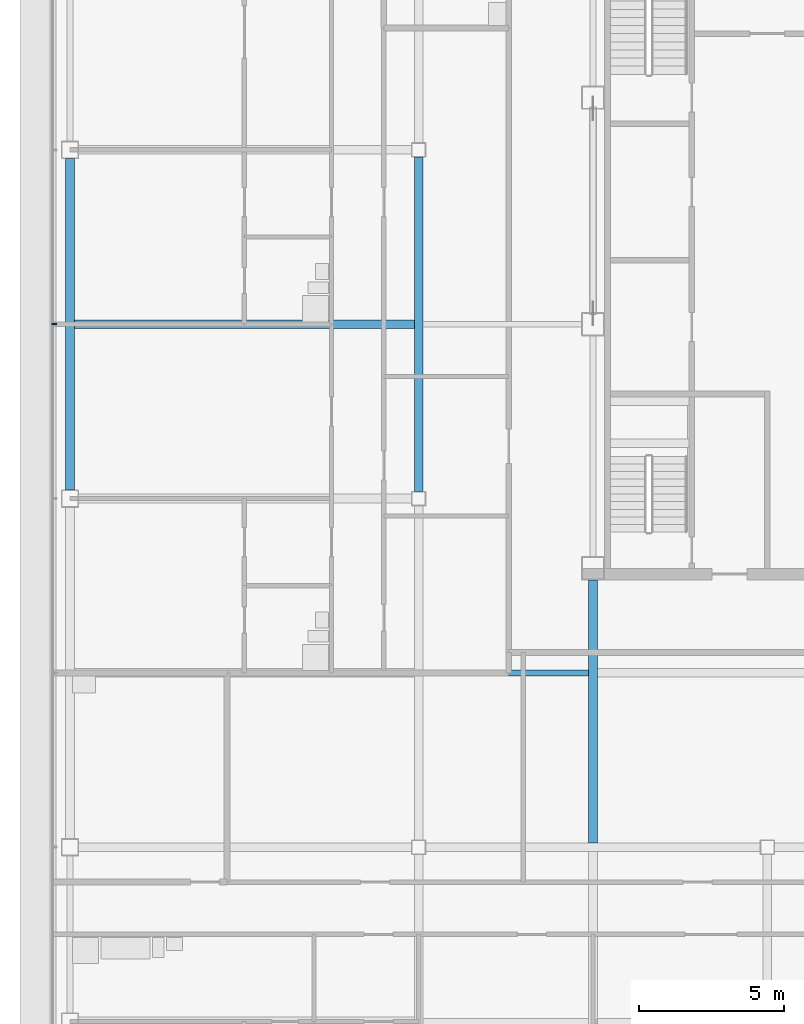
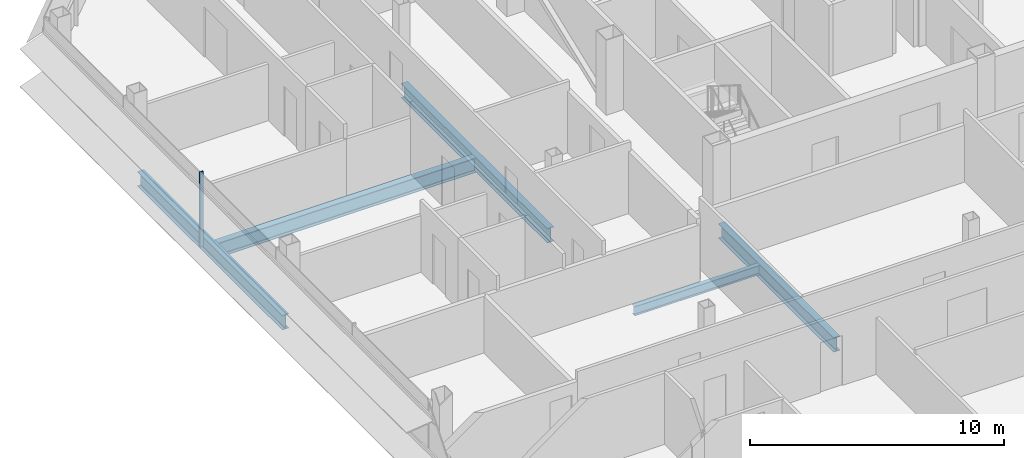
# One storey, part 7 of 28: 5 beams, 1 member, 1 element without a shape of its own.
"""IFC4 building model written with IfcOpenShell, lengths in metres."""

from ifc_helpers import new_model, si_unit, direction, frame, origin, origin_2d, place, context, subcontext, project, spatial, rectangle, i_section, extrude, material, material_profile, profile_set, type_object, element, aggregate, save


model = new_model("IFC4")

# Units and contexts
model_context = context("Model", 3, precision=1e-05, world=origin(), true_north=direction((0.0, 1.0)))
body_context = subcontext(model_context, "Body", "Model", "MODEL_VIEW")
ifc_project = project(units=[si_unit("LENGTHUNIT", "METRE"), si_unit("AREAUNIT", "SQUARE_METRE"), si_unit("VOLUMEUNIT", "CUBIC_METRE"), si_unit("PLANEANGLEUNIT", "RADIAN"), si_unit("MASSUNIT", "GRAM", prefix="KILO")], contexts=[model_context])

# Site, building, storey
site_placement = place(None, origin())
site = spatial("IfcSite", under=ifc_project, at=site_placement, CompositionType="ELEMENT")
building_placement = place(site_placement, origin())
building = spatial("IfcBuilding", under=site, at=building_placement, Name="Sorahane Residences", CompositionType="ELEMENT")
storey_placement = place(building_placement, frame((0.0, 0.0, 270.199951171875)))
storey = spatial("IfcBuildingStorey", under=building, at=storey_placement, Name="L64", CompositionType="ELEMENT", Elevation=270.199951171875)

# Curtain wall, member
ifc_material_1 = material(Name="Dark low-e glass and black anodised aluminium", Category="aluminium")
curtain_wall_type = type_object("IfcCurtainWallType", Name="Curtain wall CW-1 Typical unitised wall", PredefinedType="NOTDEFINED", material=ifc_material_1)
curtain_wall_placement = place(storey_placement, origin())
curtain_wall = element("IfcCurtainWall", 1, at=curtain_wall_placement, inside=storey, type_object=curtain_wall_type, Name="CW-1 curtain wall L64 W1", PredefinedType="NOTDEFINED")
ifc_material_2 = material(Name="Black anodised aluminium", Category="aluminium")
ifc_material_profile_1 = material_profile(ifc_material_2, rectangle(XDim=0.159912109375, YDim=0.050048828125, at=origin_2d()), Name="Curtain wall mullion CW-1 black anodised aluminium 50x160")
ifc_profile_set_1 = profile_set([ifc_material_profile_1], Name="Black anodised aluminium")
member_type = type_object("IfcMemberType", Name="Curtain wall mullion CW-1 black anodised aluminium 50x160", PredefinedType="MULLION", material=ifc_profile_set_1)
member_placement = place(storey_placement, frame((-12.5400390625, 30.0, -0.179931640625), z_axis=(0.0, 0.0, 1.0), x_axis=(-1.0, 0.0, 0.0)))
member = element("IfcMember", 2, at=member_placement, type_object=member_type, Name="CW-1 mullion L64 W1.3", PredefinedType="MULLION", context=body_context, shape_type="SweptSolid", body=[
    extrude(rectangle(XDim=0.159912109375, YDim=0.050048828125, at=origin_2d()), origin(), (0.0, 0.0, 1.0), 3.60009765625),
])
aggregate(curtain_wall, [member])

# Beams
ifc_material_3 = material(Name="Steel Q355B", Category="steel")
ifc_material_profile_2 = material_profile(ifc_material_3, i_section(OverallWidth=0.199951171875, OverallDepth=0.449951171875, WebThickness=0.009033203125, FlangeThickness=0.013916015625, FilletRadius=0.02001953125, at=origin_2d()), Name="HN 450x200x9x14")
ifc_profile_set_2 = profile_set([ifc_material_profile_2], Name="Steel Q355B")
beam_type_1 = type_object("IfcBeamType", Name="Steel floor beam HN 450x200x9x14 Q355B", PredefinedType="BEAM", material=ifc_profile_set_2)
beam_1_placement = place(storey_placement, frame((0.14990234375, 18.0, -0.405029296875), z_axis=(1.0, 0.0, 0.0), x_axis=(0.0, 1.0, 0.0)))
element("IfcBeam", 3, at=beam_1_placement, inside=storey, type_object=beam_type_1, Name="Beam L64 079", PredefinedType="BEAM", context=body_context, shape_type="SweptSolid", body=[
    extrude(i_section(OverallWidth=0.199951171875, OverallDepth=0.449951171875, WebThickness=0.009033203125, FlangeThickness=0.013916015625, FilletRadius=0.02001953125, at=origin_2d()), origin(), (0.0, 0.0, 1.0), 5.7001953125),
])
ifc_material_4 = material(Name="Steel Q355B", Category="steel")
ifc_material_profile_3 = material_profile(ifc_material_4, i_section(OverallWidth=0.300048828125, OverallDepth=0.699951171875, WebThickness=0.012939453125, FlangeThickness=0.02392578125, FilletRadius=0.028076171875, at=origin_2d()), Name="HN 700x300x13x24")
ifc_profile_set_3 = profile_set([ifc_material_profile_3], Name="Steel Q355B")
beam_type_2 = type_object("IfcBeamType", Name="Steel floor beam HN 700x300x13x24 Q355B", PredefinedType="BEAM", material=ifc_profile_set_3)
beam_2_placement = place(storey_placement, frame((-12.0, 24.300048828125, -0.530029296875), z_axis=(0.0, 1.0, 0.0), x_axis=(-1.0, 0.0, 0.0)))
element("IfcBeam", 4, at=beam_2_placement, inside=storey, type_object=beam_type_2, Name="Beam L64 022", PredefinedType="BEAM", context=body_context, shape_type="SweptSolid", body=[
    extrude(i_section(OverallWidth=0.300048828125, OverallDepth=0.699951171875, WebThickness=0.012939453125, FlangeThickness=0.02392578125, FilletRadius=0.028076171875, at=origin_2d()), origin(), (0.0, 0.0, 1.0), 11.39990234375),
])
beam_3_placement = place(storey_placement, frame((0.0, 24.25, -0.530029296875), z_axis=(0.0, 1.0, 0.0), x_axis=(-1.0, 0.0, 0.0)))
element("IfcBeam", 5, at=beam_3_placement, inside=storey, type_object=beam_type_2, Name="Beam L64 026", PredefinedType="BEAM", context=body_context, shape_type="SweptSolid", body=[
    extrude(i_section(OverallWidth=0.300048828125, OverallDepth=0.699951171875, WebThickness=0.012939453125, FlangeThickness=0.02392578125, FilletRadius=0.028076171875, at=origin_2d()), origin(), (0.0, 0.0, 1.0), 11.5),
])
beam_4_placement = place(storey_placement, frame((6.0, 12.14990234375, -0.530029296875), z_axis=(0.0, 1.0, 0.0), x_axis=(-1.0, 0.0, 0.0)))
element("IfcBeam", 6, at=beam_4_placement, inside=storey, type_object=beam_type_2, Name="Beam L64 029", PredefinedType="BEAM", context=body_context, shape_type="SweptSolid", body=[
    extrude(i_section(OverallWidth=0.300048828125, OverallDepth=0.699951171875, WebThickness=0.012939453125, FlangeThickness=0.02392578125, FilletRadius=0.028076171875, at=origin_2d()), origin(), (0.0, 0.0, 1.0), 9.050048828125),
])
beam_5_placement = place(storey_placement, frame((-11.85009765625, 30.0, -0.530029296875), z_axis=(1.0, 0.0, 0.0), x_axis=(0.0, 1.0, 0.0)))
element("IfcBeam", 7, at=beam_5_placement, inside=storey, type_object=beam_type_2, Name="Beam L64 085", PredefinedType="BEAM", context=body_context, shape_type="SweptSolid", body=[
    extrude(i_section(OverallWidth=0.300048828125, OverallDepth=0.699951171875, WebThickness=0.012939453125, FlangeThickness=0.02392578125, FilletRadius=0.028076171875, at=origin_2d()), origin(), (0.0, 0.0, 1.0), 11.7001953125),
])

save(model, "model.ifc")
